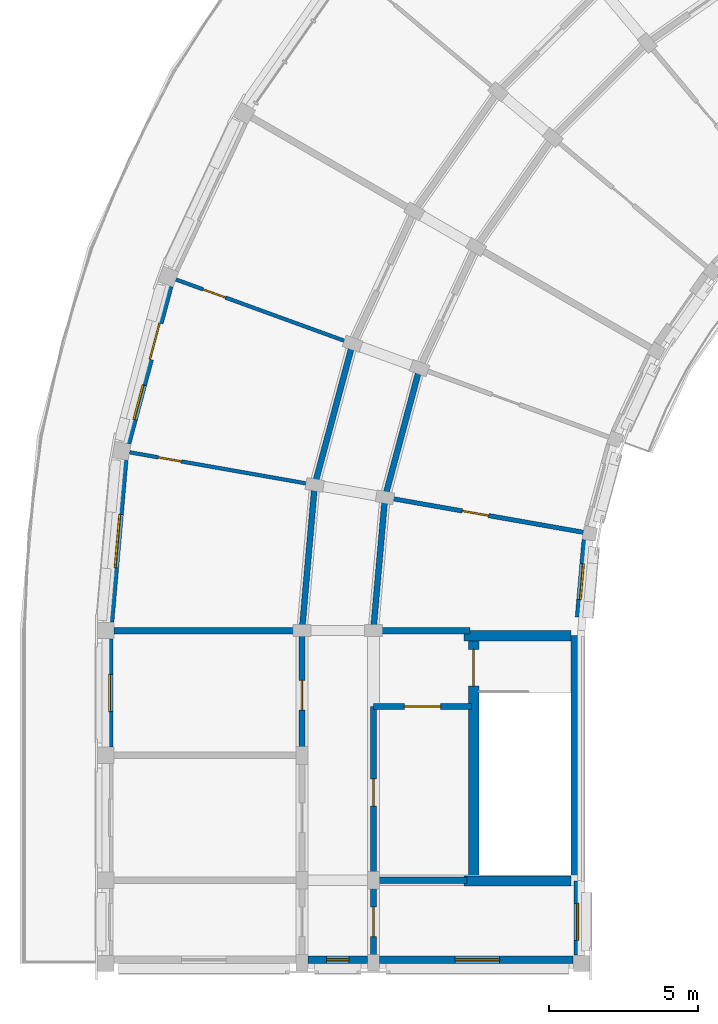
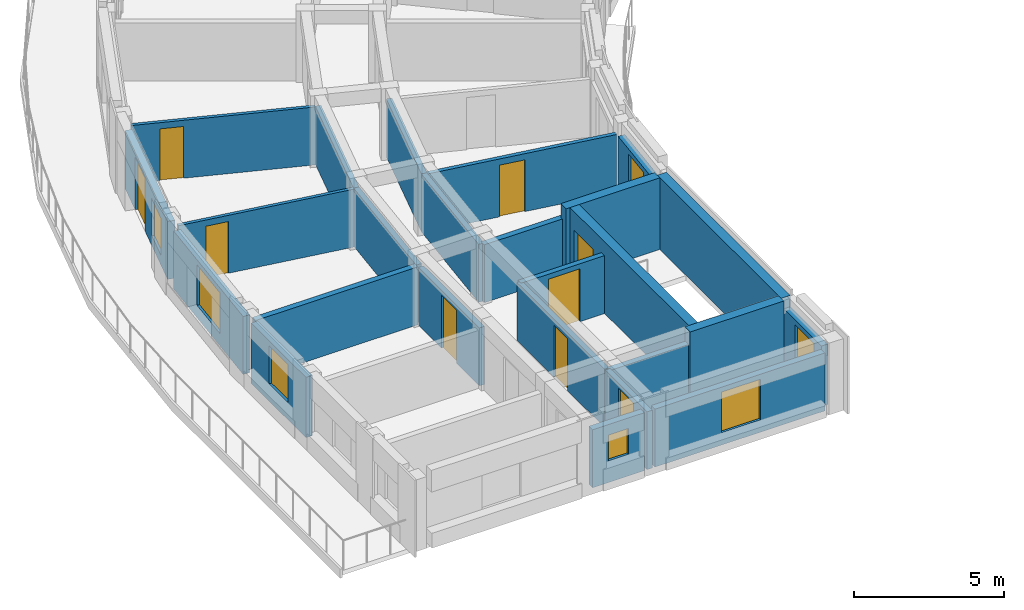
# One storey, part 6 of 14: 25 walls, 9 doors, 7 windows, 16 openings.
"""IFC4 building model written with IfcOpenShell, lengths in metres."""

from ifc_helpers import new_model, si_unit, direction, frame, frame_2d, origin, place, context, subcontext, project, spatial, rectangle, extrude, material, layer, layer_set, type_object, element, fill, save


model = new_model("IFC4")

# Units and contexts
model_context = context("Model", 3, precision=1e-05, world=origin(), true_north=direction((0.0, 1.0)))
body_context = subcontext(model_context, "Body", "Model", "MODEL_VIEW")
ifc_project = project(units=[si_unit("LENGTHUNIT", "METRE"), si_unit("AREAUNIT", "SQUARE_METRE"), si_unit("VOLUMEUNIT", "CUBIC_METRE"), si_unit("PLANEANGLEUNIT", "RADIAN"), si_unit("MASSUNIT", "GRAM", prefix="KILO")], contexts=[model_context])

# Site, building, storey
site_placement = place(None, origin())
site = spatial("IfcSite", under=ifc_project, at=site_placement, CompositionType="ELEMENT")
building_placement = place(site_placement, origin())
building = spatial("IfcBuilding", under=site, at=building_placement, Name="Kiranvali Square Residences", CompositionType="ELEMENT")
storey_placement = place(building_placement, frame((0.0, 0.0, 49.64990234375)))
storey = spatial("IfcBuildingStorey", under=building, at=storey_placement, Name="L15", CompositionType="ELEMENT", Elevation=49.64990234375)

# Wall, opening, door
ifc_material_1 = material(Name="Autoclaved aerated concrete blockwork masonry", Category="masonry")
ifc_layer_1 = layer(ifc_material_1, 0.199951171875)
ifc_layer_set_1 = layer_set([ifc_layer_1], Name="Autoclaved aerated concrete blockwork masonry")
wall_type_1 = type_object("IfcWallType", Name="WL-COR-200", PredefinedType="STANDARD", material=ifc_layer_set_1)
wall_1_placement = place(storey_placement, frame((25.699951171875, 85.25, 0.0), z_axis=(0.0, 0.0, 1.0), x_axis=(-1.0, 0.0, 0.0)))
wall_1 = element("IfcWall", 1, at=wall_1_placement, inside=storey, type_object=wall_type_1, Name="L15 architectural wall WL-L15-A-S3-V", PredefinedType="STANDARD", context=body_context, shape_type="SweptSolid", body=[
    extrude(rectangle(XDim=3.300048828125, YDim=0.199951171875, at=frame_2d((1.64990234375, 0.0))), origin(), (0.0, 0.0, 1.0), 2.35205078125),
])
opening_1_placement = place(wall_1_placement, frame((1.0400390625, 0.0, 0.0)))
opening_1 = element("IfcOpeningElement", 2, at=opening_1_placement, cuts=wall_1, Name="Opening FD-COR-60", PredefinedType="OPENING", context=body_context, shape_type="SweptSolid", body=[
    extrude(rectangle(XDim=1.219970703125, YDim=2.14990234375, at=frame_2d((0.60986328125, 1.074951171875))), frame((0.0, 0.10986328125, 0.0), z_axis=(0.0, -1.0, 0.0), x_axis=(1.0, 0.0, 0.0)), (0.0, 0.0, 1.0), 0.219970703125),
])
ifc_material_2 = material(Name="Fire-rated acoustic hardwood and mineral-core door assembly", Category="wood")
door_type_1 = type_object("IfcDoorType", Name="DR-FD60-1200", OperationType="NOTDEFINED", PredefinedType="DOOR", material=ifc_material_2)
door_1_placement = place(opening_1_placement, frame((1.219970703125, 0.0, 0.0), z_axis=(0.0, 0.0, 1.0), x_axis=(-1.0, 0.0, 0.0)))
door_1 = element("IfcDoor", 3, at=door_1_placement, inside=storey, type_object=door_type_1, Name="L15 door DR-L15-0910 (DR-FD60-1200)", OperationType="SINGLE_SWING_RIGHT", OverallHeight=2.14990234375, OverallWidth=1.219970703125, PredefinedType="DOOR", context=body_context, shape_type="SweptSolid", body=[
    extrude(rectangle(XDim=1.219970703125, YDim=2.14990234375, at=frame_2d((0.60986328125, 1.074951171875))), frame((0.0, 0.02490234375, 0.0), z_axis=(0.0, -1.0, 0.0), x_axis=(1.0, 0.0, 0.0)), (0.0, 0.0, 1.0), 0.050048828125),
])
fill(opening_1, door_1)

wall_2_placement = place(storey_placement, frame((22.39990234375, 85.25, 0.0), z_axis=(0.0, 0.0, 1.0), x_axis=(0.0, -1.0, 0.0)))
wall_2 = element("IfcWall", 4, at=wall_2_placement, inside=storey, type_object=wall_type_1, Name="L15 architectural wall WL-L15-A-S3-COR", PredefinedType="STANDARD", context=body_context, shape_type="SweptSolid", body=[
    extrude(rectangle(XDim=5.800048828125, YDim=0.199951171875, at=frame_2d((2.89990234375, 0.0))), origin(), (0.0, 0.0, 1.0), 2.35205078125),
])
opening_2_placement = place(wall_2_placement, frame((2.43994140625, 0.0, 0.0)))
opening_2 = element("IfcOpeningElement", 5, at=opening_2_placement, cuts=wall_2, Name="Opening FD-SVC-120", PredefinedType="OPENING", context=body_context, shape_type="SweptSolid", body=[
    extrude(rectangle(XDim=0.919921875, YDim=2.10009765625, at=frame_2d((0.4599609375, 1.050048828125))), frame((0.0, 0.10986328125, 0.0), z_axis=(0.0, -1.0, 0.0), x_axis=(1.0, 0.0, 0.0)), (0.0, 0.0, 1.0), 0.219970703125),
])
door_type_2 = type_object("IfcDoorType", Name="DR-SVC-900", OperationType="NOTDEFINED", PredefinedType="DOOR", material=ifc_material_2)
door_2_placement = place(opening_2_placement, origin())
door_2 = element("IfcDoor", 6, at=door_2_placement, inside=storey, type_object=door_type_2, Name="L15 door DR-L15-0911 (DR-SVC-900)", OperationType="SINGLE_SWING_LEFT", OverallHeight=2.10009765625, OverallWidth=0.919921875, PredefinedType="DOOR", context=body_context, shape_type="SweptSolid", body=[
    extrude(rectangle(XDim=0.919921875, YDim=2.10009765625, at=frame_2d((0.4599609375, 1.050048828125))), frame((0.0, 0.02490234375, 0.0), z_axis=(0.0, -1.0, 0.0), x_axis=(1.0, 0.0, 0.0)), (0.0, 0.0, 1.0), 0.050048828125),
])
fill(opening_2, door_2)

# Walls
wall_3_placement = place(storey_placement, frame((23.955810546875, 96.6240234375, 0.0), z_axis=(0.0, 0.0, 1.0), x_axis=(-0.258787642463, -0.965934240054, 0.0)))
element("IfcWall", 7, at=wall_3_placement, inside=storey, type_object=wall_type_1, Name="L15 architectural wall WL-L15-A-CCI-7", PredefinedType="STANDARD", context=body_context, shape_type="SweptSolid", body=[
    extrude(rectangle(XDim=4.497314453125, YDim=0.199951171875, at=frame_2d((2.24853515625, 0.0))), origin(), (0.0, 0.0, 1.0), 2.35205078125),
])
wall_4_placement = place(storey_placement, frame((21.70068359375, 97.445068359375, 0.0), z_axis=(0.0, 0.0, 1.0), x_axis=(-0.258803112091, -0.965930095386, 0.0)))
element("IfcWall", 8, at=wall_4_placement, inside=storey, type_object=wall_type_1, Name="L15 architectural wall WL-L15-A-CCO-7", PredefinedType="STANDARD", context=body_context, shape_type="SweptSolid", body=[
    extrude(rectangle(XDim=4.915771484375, YDim=0.199951171875, at=frame_2d((2.4580078125, 0.0))), origin(), (0.0, 0.0, 1.0), 2.35205078125),
])
wall_5_placement = place(storey_placement, frame((22.7919921875, 92.280029296875, 0.0), z_axis=(0.0, 0.0, 1.0), x_axis=(-0.087187153726, -0.996191949488, 0.0)))
element("IfcWall", 9, at=wall_5_placement, inside=storey, type_object=wall_type_1, Name="L15 architectural wall WL-L15-A-CCI-8", PredefinedType="STANDARD", context=body_context, shape_type="SweptSolid", body=[
    extrude(rectangle(XDim=4.4970703125, YDim=0.199951171875, at=frame_2d((2.24853515625, 0.0))), origin(), (0.0, 0.0, 1.0), 2.35205078125),
])
wall_6_placement = place(storey_placement, frame((20.428466796875, 92.69677734375, 0.0), z_axis=(0.0, 0.0, 1.0), x_axis=(-0.087167566415, -0.996193663584, 0.0)))
element("IfcWall", 10, at=wall_6_placement, inside=storey, type_object=wall_type_1, Name="L15 architectural wall WL-L15-A-CCO-8", PredefinedType="STANDARD", context=body_context, shape_type="SweptSolid", body=[
    extrude(rectangle(XDim=4.91552734375, YDim=0.199951171875, at=frame_2d((2.457763671875, 0.0))), origin(), (0.0, 0.0, 1.0), 2.35205078125),
])

# Wall, opening, door
wall_7_placement = place(storey_placement, frame((20.0, 87.64990234375, 0.0), z_axis=(0.0, 0.0, 1.0), x_axis=(0.0, -1.0, 0.0)))
wall_7 = element("IfcWall", 11, at=wall_7_placement, inside=storey, type_object=wall_type_1, Name="L15 architectural wall WL-L15-A-A2CF-C0", PredefinedType="STANDARD", context=body_context, shape_type="SweptSolid", body=[
    extrude(rectangle(XDim=4.0498046875, YDim=0.199951171875, at=frame_2d((2.02490234375, 0.0))), origin(), (0.0, 0.0, 1.0), 2.35205078125),
])
opening_3_placement = place(wall_7_placement, frame((1.52490234375, 0.0, 0.0)))
opening_3 = element("IfcOpeningElement", 12, at=opening_3_placement, cuts=wall_7, Name="Opening FD-APT-60", PredefinedType="OPENING", context=body_context, shape_type="SweptSolid", body=[
    extrude(rectangle(XDim=1.0, YDim=2.14990234375, at=frame_2d((0.5, 1.074951171875))), frame((0.0, 0.10986328125, 0.0), z_axis=(0.0, -1.0, 0.0), x_axis=(1.0, 0.0, 0.0)), (0.0, 0.0, 1.0), 0.219970703125),
])
door_type_3 = type_object("IfcDoorType", Name="DR-APT-1000", OperationType="NOTDEFINED", PredefinedType="DOOR", material=ifc_material_2)
door_3_placement = place(opening_3_placement, frame((1.0, 0.0, 0.0), z_axis=(0.0, 0.0, 1.0), x_axis=(-1.0, 0.0, 0.0)))
door_3 = element("IfcDoor", 13, at=door_3_placement, inside=storey, type_object=door_type_3, Name="L15 door DR-L15-0936 (DR-APT-1000)", OperationType="SINGLE_SWING_RIGHT", OverallHeight=2.14990234375, OverallWidth=1.0, PredefinedType="DOOR", context=body_context, shape_type="SweptSolid", body=[
    extrude(rectangle(XDim=1.0, YDim=2.14990234375, at=frame_2d((0.5, 1.074951171875))), frame((0.0, 0.02490234375, 0.0), z_axis=(0.0, -1.0, 0.0), x_axis=(1.0, 0.0, 0.0)), (0.0, 0.0, 1.0), 0.050048828125),
])
fill(opening_3, door_3)

wall_8_placement = place(storey_placement, frame((22.39990234375, 79.39990234375, 0.0), z_axis=(0.0, 0.0, 1.0), x_axis=(0.0, -1.0, 0.0)))
wall_8 = element("IfcWall", 14, at=wall_8_placement, inside=storey, type_object=wall_type_1, Name="L15 architectural wall WL-L15-A-A2CI-0", PredefinedType="STANDARD", context=body_context, shape_type="SweptSolid", body=[
    extrude(rectangle(XDim=2.7998046875, YDim=0.199951171875, at=frame_2d((1.39990234375, 0.0))), origin(), (0.0, 0.0, 1.0), 2.35205078125),
])
opening_4_placement = place(wall_8_placement, frame((0.89990234375, 0.0, 0.0)))
opening_4 = element("IfcOpeningElement", 15, at=opening_4_placement, cuts=wall_8, Name="Opening FD-APT-60", PredefinedType="OPENING", context=body_context, shape_type="SweptSolid", body=[
    extrude(rectangle(XDim=1.0, YDim=2.14990234375, at=frame_2d((0.5, 1.074951171875))), frame((0.0, 0.10986328125, 0.0), z_axis=(0.0, -1.0, 0.0), x_axis=(1.0, 0.0, 0.0)), (0.0, 0.0, 1.0), 0.219970703125),
])
door_4_placement = place(opening_4_placement, frame((1.0, 0.0, 0.0), z_axis=(0.0, 0.0, 1.0), x_axis=(-1.0, 0.0, 0.0)))
door_4 = element("IfcDoor", 16, at=door_4_placement, inside=storey, type_object=door_type_3, Name="L15 door DR-L15-0938 (DR-APT-1000)", OperationType="SINGLE_SWING_RIGHT", OverallHeight=2.14990234375, OverallWidth=1.0, PredefinedType="DOOR", context=body_context, shape_type="SweptSolid", body=[
    extrude(rectangle(XDim=1.0, YDim=2.14990234375, at=frame_2d((0.5, 1.074951171875))), frame((0.0, 0.02490234375, 0.0), z_axis=(0.0, -1.0, 0.0), x_axis=(1.0, 0.0, 0.0)), (0.0, 0.0, 1.0), 0.050048828125),
])
fill(opening_4, door_4)

# Walls
ifc_layer_2 = layer(ifc_material_1, 0.219970703125)
ifc_layer_set_2 = layer_set([ifc_layer_2], Name="Autoclaved aerated concrete blockwork masonry")
wall_type_2 = type_object("IfcWallType", Name="WL-DEM-220", PredefinedType="STANDARD", material=ifc_layer_set_2)
wall_9_placement = place(storey_placement, frame((25.64990234375, 87.800048828125, 0.0), z_axis=(0.0, 0.0, 1.0), x_axis=(-1.0, 0.0, 0.0)))
element("IfcWall", 17, at=wall_9_placement, inside=storey, type_object=wall_type_2, Name="L15 architectural wall WL-L15-A-RADI-9", PredefinedType="STANDARD", context=body_context, shape_type="SweptSolid", body=[
    extrude(rectangle(XDim=3.199951171875, YDim=0.219970703125, at=frame_2d((1.60009765625, 0.0))), origin(), (0.0, 0.0, 1.0), 2.35205078125),
])
wall_10_placement = place(storey_placement, frame((19.89990234375, 87.800048828125, 0.0), z_axis=(0.0, 0.0, 1.0), x_axis=(-1.0, 0.0, 0.0)))
element("IfcWall", 18, at=wall_10_placement, inside=storey, type_object=wall_type_2, Name="L15 architectural wall WL-L15-A-RADO-9", PredefinedType="STANDARD", context=body_context, shape_type="SweptSolid", body=[
    extrude(rectangle(XDim=6.219970703125, YDim=0.219970703125, at=frame_2d((3.10986328125, 0.0))), origin(), (0.0, 0.0, 1.0), 2.35205078125),
])
wall_11_placement = place(storey_placement, frame((25.550048828125, 79.39990234375, 0.0), z_axis=(0.0, 0.0, 1.0), x_axis=(-1.0, 0.0, 0.0)))
element("IfcWall", 19, at=wall_11_placement, inside=storey, type_object=wall_type_2, Name="L15 architectural wall WL-L15-A-A2TI-0", PredefinedType="STANDARD", context=body_context, shape_type="SweptSolid", body=[
    extrude(rectangle(XDim=3.10009765625, YDim=0.219970703125, at=frame_2d((1.550048828125, 0.0))), origin(), (0.0, 0.0, 1.0), 2.35205078125),
])

# Wall, openings, door, window
ifc_material_3 = material(Name="Breathable lime-rendered clay brick masonry", Category="masonry")
ifc_layer_3 = layer(ifc_material_3, 0.25)
ifc_layer_set_3 = layer_set([ifc_layer_3], Name="Breathable lime-rendered clay brick masonry")
wall_type_3 = type_object("IfcWallType", Name="WL-EXT-250", PredefinedType="STANDARD", material=ifc_layer_set_3)
wall_12_placement = place(storey_placement, frame((15.541748046875, 99.379638671875, 0.0), z_axis=(0.0, 0.0, 1.0), x_axis=(-0.258835824038, -0.965921330231, 0.0)))
wall_12 = element("IfcWall", 20, at=wall_12_placement, inside=storey, type_object=wall_type_3, Name="L15 exterior wall A-L15-CRV-07", PredefinedType="STANDARD", context=body_context, shape_type="SweptSolid", body=[
    extrude(rectangle(XDim=5.465087890625, YDim=0.25, at=frame_2d((2.732421875, 0.0))), origin(), (0.0, 0.0, 1.0), 2.35205078125),
])
opening_5_placement = place(wall_12_placement, frame((3.432373046875, 0.0, 0.402099609375)))
opening_5 = element("IfcOpeningElement", 21, at=opening_5_placement, cuts=wall_12, Name="Opening W-06", PredefinedType="OPENING", context=body_context, shape_type="SweptSolid", body=[
    extrude(rectangle(XDim=1.199951171875, YDim=1.5, at=frame_2d((0.60009765625, 0.75))), frame((0.0, 0.135009765625, 0.0), z_axis=(0.0, -1.0, 0.0), x_axis=(1.0, 0.0, 0.0)), (0.0, 0.0, 1.0), 0.27001953125),
])
opening_6_placement = place(wall_12_placement, frame((1.28271484375, 0.0, 0.0)))
opening_6 = element("IfcOpeningElement", 22, at=opening_6_placement, cuts=wall_12, Name="Opening ED-BAL-2", PredefinedType="OPENING", context=body_context, shape_type="SweptSolid", body=[
    extrude(rectangle(XDim=1.260009765625, YDim=2.14990234375, at=frame_2d((0.6298828125, 1.074951171875))), frame((0.0, 0.135009765625, 0.0), z_axis=(0.0, -1.0, 0.0), x_axis=(1.0, 0.0, 0.0)), (0.0, 0.0, 1.0), 0.27001953125),
])
ifc_material_4 = material(Name="Anodised bronze aluminium framing", Category="aluminium")
door_type_4 = type_object("IfcDoorType", Name="DR-BAL-1260", OperationType="NOTDEFINED", PredefinedType="DOOR", material=ifc_material_4)
door_5_placement = place(opening_6_placement, frame((1.260009765625, 0.0, 0.0), z_axis=(0.0, 0.0, 1.0), x_axis=(-1.0, 0.0, 0.0)))
door_5 = element("IfcDoor", 23, at=door_5_placement, inside=storey, type_object=door_type_4, Name="L15 balcony terrace door", OperationType="SINGLE_SWING_RIGHT", OverallHeight=2.14990234375, OverallWidth=1.260009765625, PredefinedType="DOOR", context=body_context, shape_type="SweptSolid", body=[
    extrude(rectangle(XDim=1.260009765625, YDim=2.14990234375, at=frame_2d((0.6298828125, 1.074951171875))), frame((0.0, 0.02490234375, 0.0), z_axis=(0.0, -1.0, 0.0), x_axis=(1.0, 0.0, 0.0)), (0.0, 0.0, 1.0), 0.050048828125),
])
fill(opening_6, door_5)
ifc_material_5 = material(Name="Solar-control low-e double glazing", Category="glass")
window_type_1 = type_object("IfcWindowType", Name="WIN-RES-1200x1500", PartitioningType="SINGLE_PANEL", PredefinedType="WINDOW", material=ifc_material_5)
window_1_placement = place(opening_5_placement, origin())
window_1 = element("IfcWindow", 24, at=window_1_placement, inside=storey, type_object=window_type_1, Name="L15 recessed window A-L15-CRV-07", OverallHeight=1.5, OverallWidth=1.199951171875, PartitioningType="SINGLE_PANEL", PredefinedType="WINDOW", context=body_context, shape_type="SweptSolid", body=[
    extrude(rectangle(XDim=1.199951171875, YDim=1.5, at=frame_2d((0.60009765625, 0.75))), frame((0.0, 0.030029296875, 0.0), z_axis=(0.0, -1.0, 0.0), x_axis=(1.0, 0.0, 0.0)), (0.0, 0.0, 1.0), 0.06005859375),
])
fill(opening_5, window_1)

# Wall, opening, window
wall_13_placement = place(storey_placement, frame((14.027099609375, 93.53271484375, 0.0), z_axis=(0.0, 0.0, 1.0), x_axis=(-0.087159745848, -0.996194347858, 0.0)))
wall_13 = element("IfcWall", 25, at=wall_13_placement, inside=storey, type_object=wall_type_3, Name="L15 exterior wall A-L15-CRV-08", PredefinedType="STANDARD", context=body_context, shape_type="SweptSolid", body=[
    extrude(rectangle(XDim=5.46484375, YDim=0.25, at=frame_2d((2.732421875, 0.0))), origin(), (0.0, 0.0, 1.0), 2.35205078125),
])
opening_7_placement = place(wall_13_placement, frame((1.83251953125, 0.0, 0.501953125)))
opening_7 = element("IfcOpeningElement", 26, at=opening_7_placement, cuts=wall_13, Name="Opening W-04", PredefinedType="OPENING", context=body_context, shape_type="SweptSolid", body=[
    extrude(rectangle(XDim=1.800048828125, YDim=1.64990234375, at=frame_2d((0.89990234375, 0.824951171875))), frame((0.0, 0.135009765625, 0.0), z_axis=(0.0, -1.0, 0.0), x_axis=(1.0, 0.0, 0.0)), (0.0, 0.0, 1.0), 0.27001953125),
])
window_type_2 = type_object("IfcWindowType", Name="WIN-RES-1800x1650", PartitioningType="DOUBLE_PANEL_VERTICAL", PredefinedType="WINDOW", material=ifc_material_5)
window_2_placement = place(opening_7_placement, origin())
window_2 = element("IfcWindow", 27, at=window_2_placement, inside=storey, type_object=window_type_2, Name="L15 recessed window A-L15-CRV-08", OverallHeight=1.64990234375, OverallWidth=1.800048828125, PartitioningType="DOUBLE_PANEL_VERTICAL", PredefinedType="WINDOW", context=body_context, shape_type="SweptSolid", body=[
    extrude(rectangle(XDim=1.800048828125, YDim=1.64990234375, at=frame_2d((0.89990234375, 0.824951171875))), frame((0.0, 0.030029296875, 0.0), z_axis=(0.0, -1.0, 0.0), x_axis=(1.0, 0.0, 0.0)), (0.0, 0.0, 1.0), 0.06005859375),
])
fill(opening_7, window_2)

wall_14_placement = place(storey_placement, frame((29.541259765625, 90.847900390625, 0.0), z_axis=(0.0, 0.0, 1.0), x_axis=(-0.087227322402, -0.996188433092, 0.0)))
wall_14 = element("IfcWall", 28, at=wall_14_placement, inside=storey, type_object=wall_type_3, Name="L15 exterior wall A-L15-GDN-08", PredefinedType="STANDARD", context=body_context, shape_type="SweptSolid", body=[
    extrude(rectangle(XDim=2.608642578125, YDim=0.25, at=frame_2d((1.30419921875, 0.0))), origin(), (0.0, 0.0, 1.0), 2.402099609375),
])
opening_8_placement = place(wall_14_placement, frame((0.81005859375, 0.0, 0.701904296875)))
opening_8 = element("IfcOpeningElement", 29, at=opening_8_placement, cuts=wall_14, Name="Opening W-06", PredefinedType="OPENING", context=body_context, shape_type="SweptSolid", body=[
    extrude(rectangle(XDim=1.199951171875, YDim=1.5, at=frame_2d((0.60009765625, 0.75))), frame((0.0, 0.135009765625, 0.0), z_axis=(0.0, -1.0, 0.0), x_axis=(1.0, 0.0, 0.0)), (0.0, 0.0, 1.0), 0.27001953125),
])
window_3_placement = place(opening_8_placement, origin())
window_3 = element("IfcWindow", 30, at=window_3_placement, inside=storey, type_object=window_type_1, Name="L15 recessed window A-L15-GDN-08", OverallHeight=1.5, OverallWidth=1.199951171875, PartitioningType="SINGLE_PANEL", PredefinedType="WINDOW", context=body_context, shape_type="SweptSolid", body=[
    extrude(rectangle(XDim=1.199951171875, YDim=1.5, at=frame_2d((0.60009765625, 0.75))), frame((0.0, 0.030029296875, 0.0), z_axis=(0.0, -1.0, 0.0), x_axis=(1.0, 0.0, 0.0)), (0.0, 0.0, 1.0), 0.06005859375),
])
fill(opening_8, window_3)

wall_15_placement = place(storey_placement, frame((13.52490234375, 87.521484375, 0.0), z_axis=(0.0, 0.0, 1.0), x_axis=(0.0, -1.0, 0.0)))
wall_15 = element("IfcWall", 31, at=wall_15_placement, inside=storey, type_object=wall_type_3, Name="L15 exterior wall A-L15-A2O-0", PredefinedType="STANDARD", context=body_context, shape_type="SweptSolid", body=[
    extrude(rectangle(XDim=3.64306640625, YDim=0.25, at=frame_2d((1.821533203125, 0.0))), origin(), (0.0, 0.0, 1.0), 2.4521484375),
])
opening_9_placement = place(wall_15_placement, frame((1.196533203125, 0.0, 0.701904296875)))
opening_9 = element("IfcOpeningElement", 32, at=opening_9_placement, cuts=wall_15, Name="Opening W-19", PredefinedType="OPENING", context=body_context, shape_type="SweptSolid", body=[
    extrude(rectangle(XDim=1.25, YDim=1.550048828125, at=frame_2d((0.625, 0.77490234375))), frame((0.0, 0.135009765625, 0.0), z_axis=(0.0, -1.0, 0.0), x_axis=(1.0, 0.0, 0.0)), (0.0, 0.0, 1.0), 0.27001953125),
])
window_type_3 = type_object("IfcWindowType", Name="WIN-GDN-1250x1550", PartitioningType="SINGLE_PANEL", PredefinedType="WINDOW", material=ifc_material_5)
window_4_placement = place(opening_9_placement, origin())
window_4 = element("IfcWindow", 33, at=window_4_placement, inside=storey, type_object=window_type_3, Name="L15 recessed window A-L15-A2O-0", OverallHeight=1.550048828125, OverallWidth=1.25, PartitioningType="SINGLE_PANEL", PredefinedType="WINDOW", context=body_context, shape_type="SweptSolid", body=[
    extrude(rectangle(XDim=1.25, YDim=1.550048828125, at=frame_2d((0.625, 0.77490234375))), frame((0.0, 0.030029296875, 0.0), z_axis=(0.0, -1.0, 0.0), x_axis=(1.0, 0.0, 0.0)), (0.0, 0.0, 1.0), 0.06005859375),
])
fill(opening_9, window_4)

wall_16_placement = place(storey_placement, frame((29.27490234375, 79.37158203125, 0.0), z_axis=(0.0, 0.0, 1.0), x_axis=(0.0, -1.0, 0.0)))
wall_16 = element("IfcWall", 34, at=wall_16_placement, inside=storey, type_object=wall_type_3, Name="L15 exterior wall A-L15-A2I-0", PredefinedType="STANDARD", context=body_context, shape_type="SweptSolid", body=[
    extrude(rectangle(XDim=2.4931640625, YDim=0.25, at=frame_2d((1.24658203125, 0.0))), origin(), (0.0, 0.0, 1.0), 2.4521484375),
])
opening_10_placement = place(wall_16_placement, frame((0.74658203125, 0.0, 0.701904296875)))
opening_10 = element("IfcOpeningElement", 35, at=opening_10_placement, cuts=wall_16, Name="Opening W-19", PredefinedType="OPENING", context=body_context, shape_type="SweptSolid", body=[
    extrude(rectangle(XDim=1.25, YDim=1.550048828125, at=frame_2d((0.625, 0.77490234375))), frame((0.0, 0.135009765625, 0.0), z_axis=(0.0, -1.0, 0.0), x_axis=(1.0, 0.0, 0.0)), (0.0, 0.0, 1.0), 0.27001953125),
])
window_5_placement = place(opening_10_placement, origin())
window_5 = element("IfcWindow", 36, at=window_5_placement, inside=storey, type_object=window_type_3, Name="L15 recessed window A-L15-A2I-0", OverallHeight=1.550048828125, OverallWidth=1.25, PartitioningType="SINGLE_PANEL", PredefinedType="WINDOW", context=body_context, shape_type="SweptSolid", body=[
    extrude(rectangle(XDim=1.25, YDim=1.550048828125, at=frame_2d((0.625, 0.77490234375))), frame((0.0, 0.030029296875, 0.0), z_axis=(0.0, -1.0, 0.0), x_axis=(1.0, 0.0, 0.0)), (0.0, 0.0, 1.0), 0.06005859375),
])
fill(opening_10, window_5)

wall_17_placement = place(storey_placement, frame((29.12158203125, 76.72509765625, 0.0), z_axis=(0.0, 0.0, 1.0), x_axis=(-1.0, 0.0, 0.0)))
wall_17 = element("IfcWall", 37, at=wall_17_placement, inside=storey, type_object=wall_type_3, Name="L15 exterior wall A-L15-A2END-0", PredefinedType="STANDARD", context=body_context, shape_type="SweptSolid", body=[
    extrude(rectangle(XDim=6.51806640625, YDim=0.25, at=frame_2d((3.259033203125, 0.0))), origin(), (0.0, 0.0, 1.0), 2.35205078125),
])
opening_11_placement = place(wall_17_placement, frame((2.471435546875, 0.0, 0.501953125)))
opening_11 = element("IfcOpeningElement", 38, at=opening_11_placement, cuts=wall_17, Name="Opening W-05", PredefinedType="OPENING", context=body_context, shape_type="SweptSolid", body=[
    extrude(rectangle(XDim=1.5, YDim=1.64990234375, at=frame_2d((0.75, 0.824951171875))), frame((0.0, 0.135009765625, 0.0), z_axis=(0.0, -1.0, 0.0), x_axis=(1.0, 0.0, 0.0)), (0.0, 0.0, 1.0), 0.27001953125),
])
window_type_4 = type_object("IfcWindowType", Name="WIN-RES-1500x1650", PartitioningType="DOUBLE_PANEL_VERTICAL", PredefinedType="WINDOW", material=ifc_material_5)
window_6_placement = place(opening_11_placement, origin())
window_6 = element("IfcWindow", 39, at=window_6_placement, inside=storey, type_object=window_type_4, Name="L15 recessed window A-L15-A2END-0", OverallHeight=1.64990234375, OverallWidth=1.5, PartitioningType="DOUBLE_PANEL_VERTICAL", PredefinedType="WINDOW", context=body_context, shape_type="SweptSolid", body=[
    extrude(rectangle(XDim=1.5, YDim=1.64990234375, at=frame_2d((0.75, 0.824951171875))), frame((0.0, 0.030029296875, 0.0), z_axis=(0.0, -1.0, 0.0), x_axis=(1.0, 0.0, 0.0)), (0.0, 0.0, 1.0), 0.06005859375),
])
fill(opening_11, window_6)

wall_18_placement = place(storey_placement, frame((22.196533203125, 76.72509765625, 0.0), z_axis=(0.0, 0.0, 1.0), x_axis=(-1.0, 0.0, 0.0)))
wall_18 = element("IfcWall", 40, at=wall_18_placement, inside=storey, type_object=wall_type_3, Name="L15 exterior wall A-L15-A2END-1", PredefinedType="STANDARD", context=body_context, shape_type="SweptSolid", body=[
    extrude(rectangle(XDim=1.992919921875, YDim=0.25, at=frame_2d((0.99658203125, 0.0))), origin(), (0.0, 0.0, 1.0), 2.35205078125),
])
opening_12_placement = place(wall_18_placement, frame((0.62158203125, 0.0, 0.8798828125)))
opening_12 = element("IfcOpeningElement", 41, at=opening_12_placement, cuts=wall_18, Name="Opening W-07", PredefinedType="OPENING", context=body_context, shape_type="SweptSolid", body=[
    extrude(rectangle(XDim=0.75, YDim=1.050048828125, at=frame_2d((0.375, 0.52490234375))), frame((0.0, 0.135009765625, 0.0), z_axis=(0.0, -1.0, 0.0), x_axis=(1.0, 0.0, 0.0)), (0.0, 0.0, 1.0), 0.27001953125),
])
window_type_5 = type_object("IfcWindowType", Name="WIN-WET-750x1050", PartitioningType="SINGLE_PANEL", PredefinedType="WINDOW", material=ifc_material_5)
window_7_placement = place(opening_12_placement, origin())
window_7 = element("IfcWindow", 42, at=window_7_placement, inside=storey, type_object=window_type_5, Name="L15 recessed window A-L15-A2END-1", OverallHeight=1.050048828125, OverallWidth=0.75, PartitioningType="SINGLE_PANEL", PredefinedType="WINDOW", context=body_context, shape_type="SweptSolid", body=[
    extrude(rectangle(XDim=0.75, YDim=1.050048828125, at=frame_2d((0.375, 0.52490234375))), frame((0.0, 0.030029296875, 0.0), z_axis=(0.0, -1.0, 0.0), x_axis=(1.0, 0.0, 0.0)), (0.0, 0.0, 1.0), 0.06005859375),
])
fill(opening_12, window_7)

# Wall, opening, door
ifc_material_6 = material(Name="Acoustic gypsum board drylined partition", Category="gypsum")
ifc_layer_4 = layer(ifc_material_6, 0.125)
ifc_layer_set_4 = layer_set([ifc_layer_4], Name="Acoustic gypsum board drylined partition")
wall_type_4 = type_object("IfcWallType", Name="WL-PRT-125", PredefinedType="PARTITIONING", material=ifc_layer_set_4)
wall_19_placement = place(storey_placement, frame((21.606689453125, 97.479248046875, 0.0), z_axis=(0.0, 0.0, 1.0), x_axis=(-0.939702855871, 0.341992021352, 0.0)))
wall_19 = element("IfcWall", 43, at=wall_19_placement, inside=storey, type_object=wall_type_4, Name="L15 architectural wall WL-L15-A-RADO-7", PredefinedType="PARTITIONING", context=body_context, shape_type="SweptSolid", body=[
    extrude(rectangle(XDim=6.219970703125, YDim=0.125, at=frame_2d((3.10986328125, 0.0))), origin(), (0.0, 0.0, 1.0), 2.35205078125),
])
opening_13_placement = place(wall_19_placement, frame((4.44970703125, 0.0, 0.0)))
opening_13 = element("IfcOpeningElement", 44, at=opening_13_placement, cuts=wall_19, Name="Opening ID-WET", PredefinedType="OPENING", context=body_context, shape_type="SweptSolid", body=[
    extrude(rectangle(XDim=0.800048828125, YDim=2.10009765625, at=frame_2d((0.39990234375, 1.050048828125))), frame((0.0, 0.072509765625, 0.0), z_axis=(0.0, -1.0, 0.0), x_axis=(1.0, 0.0, 0.0)), (0.0, 0.0, 1.0), 0.14501953125),
])
ifc_material_7 = material(Name="Solid seasoned teak hardwood joinery", Category="wood")
door_type_5 = type_object("IfcDoorType", Name="DR-WET-800", OperationType="NOTDEFINED", PredefinedType="DOOR", material=ifc_material_7)
door_6_placement = place(opening_13_placement, frame((0.800048828125, 0.0, 0.0), z_axis=(0.0, 0.0, 1.0), x_axis=(-1.0, 0.0, 0.0)))
door_6 = element("IfcDoor", 45, at=door_6_placement, inside=storey, type_object=door_type_5, Name="L15 door DR-L15-0926 (DR-WET-800)", OperationType="SINGLE_SWING_RIGHT", OverallHeight=2.10009765625, OverallWidth=0.800048828125, PredefinedType="DOOR", context=body_context, shape_type="SweptSolid", body=[
    extrude(rectangle(XDim=0.800048828125, YDim=2.10009765625, at=frame_2d((0.39990234375, 1.050048828125))), frame((0.0, 0.02490234375, 0.0), z_axis=(0.0, -1.0, 0.0), x_axis=(1.0, 0.0, 0.0)), (0.0, 0.0, 1.0), 0.050048828125),
])
fill(opening_13, door_6)

wall_20_placement = place(storey_placement, frame((20.329833984375, 92.71435546875, 0.0), z_axis=(0.0, 0.0, 1.0), x_axis=(-0.98480804799, 0.173646504755, 0.0)))
wall_20 = element("IfcWall", 46, at=wall_20_placement, inside=storey, type_object=wall_type_4, Name="L15 architectural wall WL-L15-A-RADO-8", PredefinedType="PARTITIONING", context=body_context, shape_type="SweptSolid", body=[
    extrude(rectangle(XDim=6.219970703125, YDim=0.125, at=frame_2d((3.10986328125, 0.0))), origin(), (0.0, 0.0, 1.0), 2.35205078125),
])
opening_14_placement = place(wall_20_placement, frame((4.44970703125, 0.0, 0.0)))
opening_14 = element("IfcOpeningElement", 47, at=opening_14_placement, cuts=wall_20, Name="Opening ID-WET", PredefinedType="OPENING", context=body_context, shape_type="SweptSolid", body=[
    extrude(rectangle(XDim=0.800048828125, YDim=2.10009765625, at=frame_2d((0.39990234375, 1.050048828125))), frame((0.0, 0.072509765625, 0.0), z_axis=(0.0, -1.0, 0.0), x_axis=(1.0, 0.0, 0.0)), (0.0, 0.0, 1.0), 0.14501953125),
])
door_7_placement = place(opening_14_placement, frame((0.800048828125, 0.0, 0.0), z_axis=(0.0, 0.0, 1.0), x_axis=(-1.0, 0.0, 0.0)))
door_7 = element("IfcDoor", 48, at=door_7_placement, inside=storey, type_object=door_type_5, Name="L15 door DR-L15-0928 (DR-WET-800)", OperationType="SINGLE_SWING_RIGHT", OverallHeight=2.10009765625, OverallWidth=0.800048828125, PredefinedType="DOOR", context=body_context, shape_type="SweptSolid", body=[
    extrude(rectangle(XDim=0.800048828125, YDim=2.10009765625, at=frame_2d((0.39990234375, 1.050048828125))), frame((0.0, 0.02490234375, 0.0), z_axis=(0.0, -1.0, 0.0), x_axis=(1.0, 0.0, 0.0)), (0.0, 0.0, 1.0), 0.050048828125),
])
fill(opening_14, door_7)

ifc_layer_5 = layer(ifc_material_6, 0.14990234375)
ifc_layer_set_5 = layer_set([ifc_layer_5], Name="Acoustic gypsum board drylined partition")
wall_type_5 = type_object("IfcWallType", Name="WL-PRT-150", PredefinedType="PARTITIONING", material=ifc_layer_set_5)
wall_21_placement = place(storey_placement, frame((29.48876953125, 91.099365234375, 0.0), z_axis=(0.0, 0.0, 1.0), x_axis=(-0.984807944945, 0.173647089161, 0.0)))
wall_21 = element("IfcWall", 49, at=wall_21_placement, inside=storey, type_object=wall_type_5, Name="L15 architectural wall WL-L15-A-RADI-8", PredefinedType="PARTITIONING", context=body_context, shape_type="SweptSolid", body=[
    extrude(rectangle(XDim=6.75, YDim=0.14990234375, at=frame_2d((3.375, 0.0))), origin(), (0.0, 0.0, 1.0), 2.35205078125),
])
opening_15_placement = place(wall_21_placement, frame((3.262451171875, 0.0, 0.0)))
opening_15 = element("IfcOpeningElement", 50, at=opening_15_placement, cuts=wall_21, Name="Opening ID-1", PredefinedType="OPENING", context=body_context, shape_type="SweptSolid", body=[
    extrude(rectangle(XDim=0.89990234375, YDim=2.10009765625, at=frame_2d((0.449951171875, 1.050048828125))), frame((0.0, 0.0849609375, 0.0), z_axis=(0.0, -1.0, 0.0), x_axis=(1.0, 0.0, 0.0)), (0.0, 0.0, 1.0), 0.169921875),
])
door_type_6 = type_object("IfcDoorType", Name="DR-INT-900", OperationType="NOTDEFINED", PredefinedType="DOOR", material=ifc_material_7)
door_8_placement = place(opening_15_placement, origin())
door_8 = element("IfcDoor", 51, at=door_8_placement, inside=storey, type_object=door_type_6, Name="L15 door DR-L15-0927 (DR-INT-900)", OperationType="SINGLE_SWING_LEFT", OverallHeight=2.10009765625, OverallWidth=0.89990234375, PredefinedType="DOOR", context=body_context, shape_type="SweptSolid", body=[
    extrude(rectangle(XDim=0.89990234375, YDim=2.10009765625, at=frame_2d((0.449951171875, 1.050048828125))), frame((0.0, 0.02490234375, 0.0), z_axis=(0.0, -1.0, 0.0), x_axis=(1.0, 0.0, 0.0)), (0.0, 0.0, 1.0), 0.050048828125),
])
fill(opening_15, door_8)

# Wall
ifc_material_8 = material(Name="Concrete M45 (45 MPa)", Category="concrete")
ifc_layer_6 = layer(ifc_material_8, 0.320068359375)
ifc_layer_set_6 = layer_set([ifc_layer_6], Name="Concrete M45 (45 MPa)")
wall_type_6 = type_object("IfcWallType", Name="WL-SHR-320", PredefinedType="SHEAR", material=ifc_layer_set_6)
wall_22_placement = place(storey_placement, frame((29.22509765625, 87.625, 0.0), z_axis=(0.0, 0.0, 1.0), x_axis=(0.0, -1.0, 0.0)))
element("IfcWall", 52, at=wall_22_placement, inside=storey, type_object=wall_type_6, Name="Block A core shear wall SW-A3-OUT-L15", PredefinedType="SHEAR", context=body_context, shape_type="SweptSolid", body=[
    extrude(rectangle(XDim=8.25, YDim=0.35009765625, at=frame_2d((4.125, 0.0))), origin(), (0.0, 0.0, 1.0), 2.91015625),
])

# Wall, opening, door
wall_23_placement = place(storey_placement, frame((25.77490234375, 87.449951171875, 0.0), z_axis=(0.0, 0.0, 1.0), x_axis=(0.0, -1.0, 0.0)))
wall_23 = element("IfcWall", 53, at=wall_23_placement, inside=storey, type_object=wall_type_6, Name="Block A core shear wall SW-A3-IN-L15", PredefinedType="SHEAR", context=body_context, shape_type="SweptSolid", body=[
    extrude(rectangle(XDim=7.89990234375, YDim=0.35009765625, at=frame_2d((3.949951171875, 0.0))), origin(), (0.0, 0.0, 1.0), 2.91015625),
])
opening_16_placement = place(wall_23_placement, frame((0.280029296875, 0.0, 0.0)))
opening_16 = element("IfcOpeningElement", 54, at=opening_16_placement, cuts=wall_23, Name="Opening FD-ST-120", PredefinedType="OPENING", context=body_context, shape_type="SweptSolid", body=[
    extrude(rectangle(XDim=1.239990234375, YDim=2.14990234375, at=frame_2d((0.6201171875, 1.074951171875))), frame((0.0, 0.18505859375, 0.0), z_axis=(0.0, -1.0, 0.0), x_axis=(1.0, 0.0, 0.0)), (0.0, 0.0, 1.0), 0.3701171875),
])
door_type_7 = type_object("IfcDoorType", Name="DR-FD120-1200", OperationType="NOTDEFINED", PredefinedType="DOOR", material=ifc_material_2)
door_9_placement = place(opening_16_placement, origin())
door_9 = element("IfcDoor", 55, at=door_9_placement, inside=storey, type_object=door_type_7, Name="L15 door DR-L15-0906 (DR-FD120-1200)", OperationType="SINGLE_SWING_RIGHT", OverallHeight=2.14990234375, OverallWidth=1.239990234375, PredefinedType="DOOR", context=body_context, shape_type="SweptSolid", body=[
    extrude(rectangle(XDim=1.239990234375, YDim=2.14990234375, at=frame_2d((0.6201171875, 1.074951171875))), frame((0.0, 0.02490234375, 0.0), z_axis=(0.0, -1.0, 0.0), x_axis=(1.0, 0.0, 0.0)), (0.0, 0.0, 1.0), 0.050048828125),
])
fill(opening_16, door_9)

# Walls
for number, where, z_axis, x_axis, name in (
    (56, (29.050048828125, 87.625, 0.0), (0.0, 0.0, 1.0), (-1.0, 0.0, 0.0), "Block A core shear wall SW-A3-NEAR-L15"),
    (57, (29.050048828125, 79.375, 0.0), (0.0, 0.0, 1.0), (-1.0, 0.0, 0.0), "Block A core shear wall SW-A3-FAR-L15"),
):
    element("IfcWall", number, at=place(storey_placement, frame(where, z_axis=z_axis, x_axis=x_axis)), inside=storey, type_object=wall_type_6, Name=name, PredefinedType="SHEAR", context=body_context, shape_type="SweptSolid", body=[
        extrude(rectangle(XDim=3.60009765625, YDim=0.35009765625, at=frame_2d((1.800048828125, 0.0))), origin(), (0.0, 0.0, 1.0), 2.91015625),
    ])

save(model, "model.ifc")
